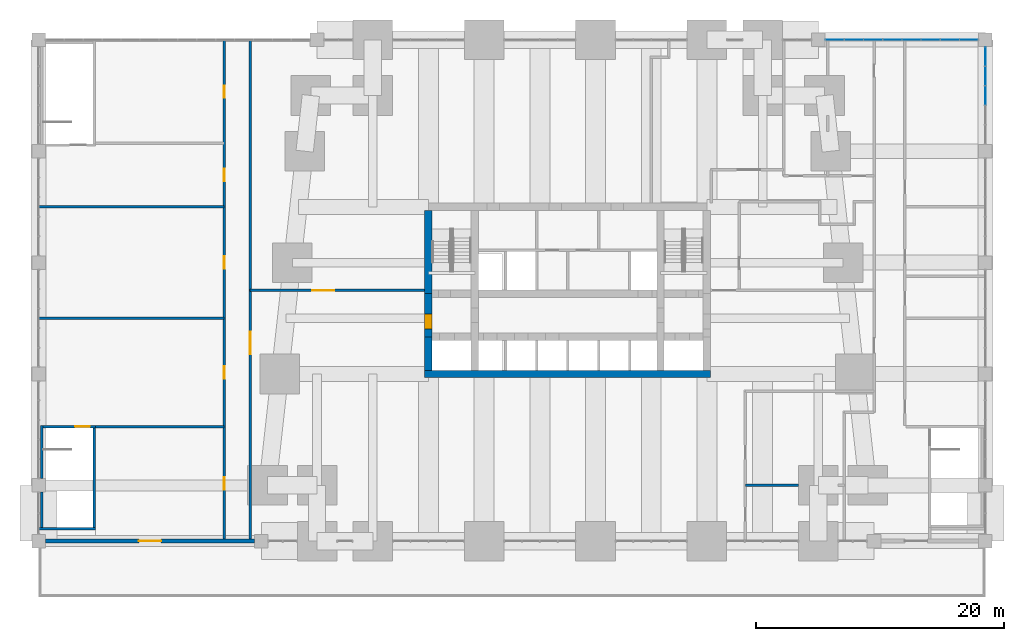
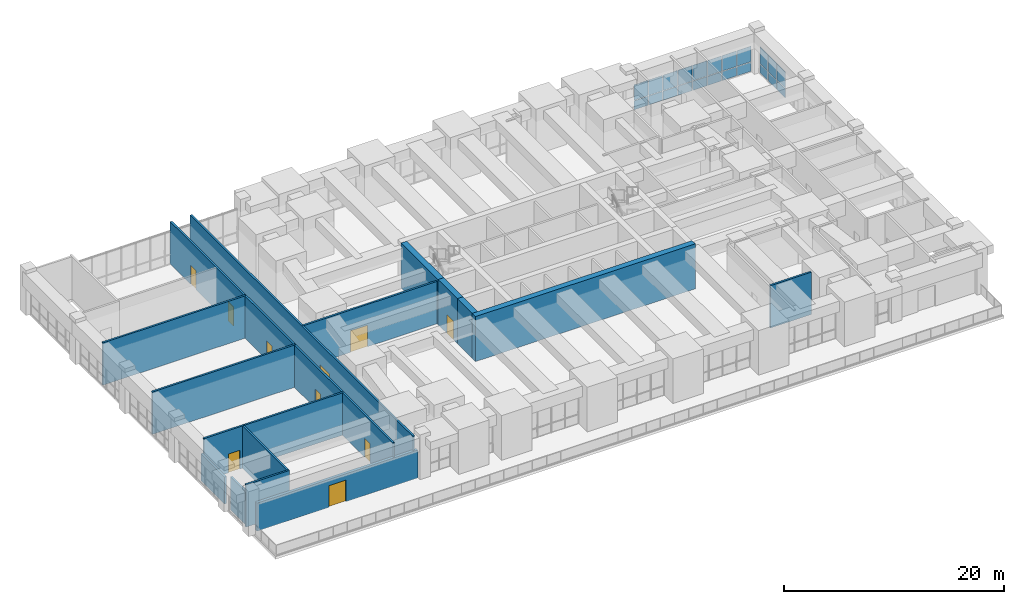
# One storey, part 17 of 22: 22 plates, 17 walls, 10 doors, 10 openings, 2 elements without a shape of their own.
"""IFC4 building model written with IfcOpenShell, lengths in metres."""

from ifc_helpers import new_model, si_unit, direction, frame, frame_2d, origin, origin_2d, place, context, subcontext, project, spatial, rectangle, extrude, material, layer, layer_set, type_object, element, fill, aggregate, save


model = new_model("IFC4")

# Units and contexts
model_context = context("Model", 3, precision=1e-05, world=origin(), true_north=direction((0.0, 1.0)))
body_context = subcontext(model_context, "Body", "Model", "MODEL_VIEW")
ifc_project = project(units=[si_unit("LENGTHUNIT", "METRE"), si_unit("AREAUNIT", "SQUARE_METRE"), si_unit("VOLUMEUNIT", "CUBIC_METRE"), si_unit("PLANEANGLEUNIT", "RADIAN"), si_unit("MASSUNIT", "GRAM", prefix="KILO")], contexts=[model_context])

# Site, building, storey
site_placement = place(None, origin())
site = spatial("IfcSite", under=ifc_project, at=site_placement, CompositionType="ELEMENT")
building_placement = place(site_placement, origin())
building = spatial("IfcBuilding", under=site, at=building_placement, Name="Kilele Tower Hotel", CompositionType="ELEMENT")
storey_placement = place(building_placement, frame((0.0, 0.0, 19.0)))
storey = spatial("IfcBuildingStorey", under=building, at=storey_placement, Name="L03", CompositionType="ELEMENT", Elevation=19.0)

# Curtain wall, plates
ifc_material_1 = material(Name="Aluminium curtain wall, clear double glazing", Category="aluminium")
curtain_wall_type_1 = type_object("IfcCurtainWallType", Name="Podium curtain wall CW-1", PredefinedType="NOTDEFINED", material=ifc_material_1)
curtain_wall_1_placement = place(storey_placement, origin())
curtain_wall_1 = element("IfcCurtainWall", 1, at=curtain_wall_1_placement, inside=storey, type_object=curtain_wall_type_1, Name="Podium curtain wall CW-1 L03", PredefinedType="NOTDEFINED")
ifc_material_2 = material(Name="Clear double glazing", Category="glass")
ifc_layer_1 = layer(ifc_material_2, 0.028076171875)
ifc_layer_set_1 = layer_set([ifc_layer_1], Name="Clear double glazing")
plate_type_1 = type_object("IfcPlateType", Name="Glazed panel 28 CW-1", PredefinedType="CURTAIN_PANEL", material=ifc_layer_set_1)
plate_1_placement = place(storey_placement, frame((57.159912109375, 40.5, 0.06005859375), z_axis=(0.0, 0.0, 1.0), x_axis=(-1.0, 0.0, 0.0)))
plate_1 = element("IfcPlate", 2, at=plate_1_placement, type_object=plate_type_1, Name="CW-1 panel 1.1", PredefinedType="CURTAIN_PANEL", context=body_context, shape_type="SweptSolid", body=[
    extrude(rectangle(XDim=1.4599609375, YDim=0.028076171875, at=origin_2d()), origin(), (0.0, 0.0, 1.0), 1.010009765625),
])
plate_2_placement = place(storey_placement, frame((57.159912109375, 40.5, 1.130126953125), z_axis=(0.0, 0.0, 1.0), x_axis=(-1.0, 0.0, 0.0)))
plate_2 = element("IfcPlate", 3, at=plate_2_placement, type_object=plate_type_1, Name="CW-1 panel 1.2", PredefinedType="CURTAIN_PANEL", context=body_context, shape_type="SweptSolid", body=[
    extrude(rectangle(XDim=1.4599609375, YDim=0.028076171875, at=origin_2d()), origin(), (0.0, 0.0, 1.0), 1.7099609375),
])
plate_3_placement = place(storey_placement, frame((55.625, 40.5, 0.06005859375), z_axis=(0.0, 0.0, 1.0), x_axis=(-1.0, 0.0, 0.0)))
plate_3 = element("IfcPlate", 4, at=plate_3_placement, type_object=plate_type_1, Name="CW-1 panel 2.1", PredefinedType="CURTAIN_PANEL", context=body_context, shape_type="SweptSolid", body=[
    extrude(rectangle(XDim=1.489990234375, YDim=0.028076171875, at=origin_2d()), origin(), (0.0, 0.0, 1.0), 1.010009765625),
])
plate_4_placement = place(storey_placement, frame((55.625, 40.5, 1.130126953125), z_axis=(0.0, 0.0, 1.0), x_axis=(-1.0, 0.0, 0.0)))
plate_4 = element("IfcPlate", 5, at=plate_4_placement, type_object=plate_type_1, Name="CW-1 panel 2.2", PredefinedType="CURTAIN_PANEL", context=body_context, shape_type="SweptSolid", body=[
    extrude(rectangle(XDim=1.489990234375, YDim=0.028076171875, at=origin_2d()), origin(), (0.0, 0.0, 1.0), 1.7099609375),
])
plate_5_placement = place(storey_placement, frame((54.074951171875, 40.5, 0.06005859375), z_axis=(0.0, 0.0, 1.0), x_axis=(-1.0, 0.0, 0.0)))
plate_5 = element("IfcPlate", 6, at=plate_5_placement, type_object=plate_type_1, Name="CW-1 panel 3.1", PredefinedType="CURTAIN_PANEL", context=body_context, shape_type="SweptSolid", body=[
    extrude(rectangle(XDim=1.489990234375, YDim=0.028076171875, at=origin_2d()), origin(), (0.0, 0.0, 1.0), 1.010009765625),
])
plate_6_placement = place(storey_placement, frame((54.074951171875, 40.5, 1.130126953125), z_axis=(0.0, 0.0, 1.0), x_axis=(-1.0, 0.0, 0.0)))
plate_6 = element("IfcPlate", 7, at=plate_6_placement, type_object=plate_type_1, Name="CW-1 panel 3.2", PredefinedType="CURTAIN_PANEL", context=body_context, shape_type="SweptSolid", body=[
    extrude(rectangle(XDim=1.489990234375, YDim=0.028076171875, at=origin_2d()), origin(), (0.0, 0.0, 1.0), 1.7099609375),
])
plate_7_placement = place(storey_placement, frame((52.52490234375, 40.5, 0.06005859375), z_axis=(0.0, 0.0, 1.0), x_axis=(-1.0, 0.0, 0.0)))
plate_7 = element("IfcPlate", 8, at=plate_7_placement, type_object=plate_type_1, Name="CW-1 panel 4.1", PredefinedType="CURTAIN_PANEL", context=body_context, shape_type="SweptSolid", body=[
    extrude(rectangle(XDim=1.489990234375, YDim=0.028076171875, at=origin_2d()), origin(), (0.0, 0.0, 1.0), 1.010009765625),
])
plate_8_placement = place(storey_placement, frame((52.52490234375, 40.5, 1.130126953125), z_axis=(0.0, 0.0, 1.0), x_axis=(-1.0, 0.0, 0.0)))
plate_8 = element("IfcPlate", 9, at=plate_8_placement, type_object=plate_type_1, Name="CW-1 panel 4.2", PredefinedType="CURTAIN_PANEL", context=body_context, shape_type="SweptSolid", body=[
    extrude(rectangle(XDim=1.489990234375, YDim=0.028076171875, at=origin_2d()), origin(), (0.0, 0.0, 1.0), 1.7099609375),
])
plate_9_placement = place(storey_placement, frame((50.97509765625, 40.5, 0.06005859375), z_axis=(0.0, 0.0, 1.0), x_axis=(-1.0, 0.0, 0.0)))
plate_9 = element("IfcPlate", 10, at=plate_9_placement, type_object=plate_type_1, Name="CW-1 panel 5.1", PredefinedType="CURTAIN_PANEL", context=body_context, shape_type="SweptSolid", body=[
    extrude(rectangle(XDim=1.489990234375, YDim=0.028076171875, at=origin_2d()), origin(), (0.0, 0.0, 1.0), 1.010009765625),
])
plate_10_placement = place(storey_placement, frame((50.97509765625, 40.5, 1.130126953125), z_axis=(0.0, 0.0, 1.0), x_axis=(-1.0, 0.0, 0.0)))
plate_10 = element("IfcPlate", 11, at=plate_10_placement, type_object=plate_type_1, Name="CW-1 panel 5.2", PredefinedType="CURTAIN_PANEL", context=body_context, shape_type="SweptSolid", body=[
    extrude(rectangle(XDim=1.489990234375, YDim=0.028076171875, at=origin_2d()), origin(), (0.0, 0.0, 1.0), 1.7099609375),
])
plate_11_placement = place(storey_placement, frame((49.425048828125, 40.5, 0.06005859375), z_axis=(0.0, 0.0, 1.0), x_axis=(-1.0, 0.0, 0.0)))
plate_11 = element("IfcPlate", 12, at=plate_11_placement, type_object=plate_type_1, Name="CW-1 panel 6.1", PredefinedType="CURTAIN_PANEL", context=body_context, shape_type="SweptSolid", body=[
    extrude(rectangle(XDim=1.489990234375, YDim=0.028076171875, at=origin_2d()), origin(), (0.0, 0.0, 1.0), 1.010009765625),
])
plate_12_placement = place(storey_placement, frame((49.425048828125, 40.5, 1.130126953125), z_axis=(0.0, 0.0, 1.0), x_axis=(-1.0, 0.0, 0.0)))
plate_12 = element("IfcPlate", 13, at=plate_12_placement, type_object=plate_type_1, Name="CW-1 panel 6.2", PredefinedType="CURTAIN_PANEL", context=body_context, shape_type="SweptSolid", body=[
    extrude(rectangle(XDim=1.489990234375, YDim=0.028076171875, at=origin_2d()), origin(), (0.0, 0.0, 1.0), 1.7099609375),
])
plate_13_placement = place(storey_placement, frame((47.875, 40.5, 0.06005859375), z_axis=(0.0, 0.0, 1.0), x_axis=(-1.0, 0.0, 0.0)))
plate_13 = element("IfcPlate", 14, at=plate_13_placement, type_object=plate_type_1, Name="CW-1 panel 7.1", PredefinedType="CURTAIN_PANEL", context=body_context, shape_type="SweptSolid", body=[
    extrude(rectangle(XDim=1.489990234375, YDim=0.028076171875, at=origin_2d()), origin(), (0.0, 0.0, 1.0), 1.010009765625),
])
plate_14_placement = place(storey_placement, frame((47.875, 40.5, 1.130126953125), z_axis=(0.0, 0.0, 1.0), x_axis=(-1.0, 0.0, 0.0)))
plate_14 = element("IfcPlate", 15, at=plate_14_placement, type_object=plate_type_1, Name="CW-1 panel 7.2", PredefinedType="CURTAIN_PANEL", context=body_context, shape_type="SweptSolid", body=[
    extrude(rectangle(XDim=1.489990234375, YDim=0.028076171875, at=origin_2d()), origin(), (0.0, 0.0, 1.0), 1.7099609375),
])
plate_15_placement = place(storey_placement, frame((46.340087890625, 40.5, 0.06005859375), z_axis=(0.0, 0.0, 1.0), x_axis=(-1.0, 0.0, 0.0)))
plate_15 = element("IfcPlate", 16, at=plate_15_placement, type_object=plate_type_1, Name="CW-1 panel 8.1", PredefinedType="CURTAIN_PANEL", context=body_context, shape_type="SweptSolid", body=[
    extrude(rectangle(XDim=1.4599609375, YDim=0.028076171875, at=origin_2d()), origin(), (0.0, 0.0, 1.0), 1.010009765625),
])
plate_16_placement = place(storey_placement, frame((46.340087890625, 40.5, 1.130126953125), z_axis=(0.0, 0.0, 1.0), x_axis=(-1.0, 0.0, 0.0)))
plate_16 = element("IfcPlate", 17, at=plate_16_placement, type_object=plate_type_1, Name="CW-1 panel 8.2", PredefinedType="CURTAIN_PANEL", context=body_context, shape_type="SweptSolid", body=[
    extrude(rectangle(XDim=1.4599609375, YDim=0.028076171875, at=origin_2d()), origin(), (0.0, 0.0, 1.0), 1.7099609375),
])
aggregate(curtain_wall_1, [plate_1, plate_2, plate_3, plate_4, plate_5, plate_6, plate_7, plate_8, plate_9, plate_10, plate_11, plate_12, plate_13, plate_14, plate_15, plate_16])

ifc_material_3 = material(Name="Aluminium curtain wall, clear double glazing", Category="aluminium")
curtain_wall_type_2 = type_object("IfcCurtainWallType", Name="Podium side curtain wall CW-2", PredefinedType="NOTDEFINED", material=ifc_material_3)
curtain_wall_2_placement = place(storey_placement, origin())
curtain_wall_2 = element("IfcCurtainWall", 18, at=curtain_wall_2_placement, inside=storey, type_object=curtain_wall_type_2, Name="Podium side curtain wall CW-2 L03", PredefinedType="NOTDEFINED")
ifc_material_4 = material(Name="Clear double glazing", Category="glass")
ifc_layer_2 = layer(ifc_material_4, 0.028076171875)
ifc_layer_set_2 = layer_set([ifc_layer_2], Name="Clear double glazing")
plate_type_2 = type_object("IfcPlateType", Name="Glazed panel 28 CW-2", PredefinedType="CURTAIN_PANEL", material=ifc_layer_set_2)
plate_17_placement = place(storey_placement, frame((58.5, 36.0, 0.06005859375), z_axis=(0.0, 0.0, 1.0), x_axis=(0.0, 1.0, 0.0)))
plate_17 = element("IfcPlate", 19, at=plate_17_placement, type_object=plate_type_2, Name="CW-2 panel 3.1", PredefinedType="CURTAIN_PANEL", context=body_context, shape_type="SweptSolid", body=[
    extrude(rectangle(XDim=1.52001953125, YDim=0.028076171875, at=origin_2d()), origin(), (0.0, 0.0, 1.0), 1.010009765625),
])
plate_18_placement = place(storey_placement, frame((58.5, 36.0, 1.1298828125), z_axis=(0.0, 0.0, 1.0), x_axis=(0.0, 1.0, 0.0)))
plate_18 = element("IfcPlate", 20, at=plate_18_placement, type_object=plate_type_2, Name="CW-2 panel 3.2", PredefinedType="CURTAIN_PANEL", context=body_context, shape_type="SweptSolid", body=[
    extrude(rectangle(XDim=1.52001953125, YDim=0.028076171875, at=origin_2d()), origin(), (0.0, 0.0, 1.0), 1.81005859375),
])
plate_19_placement = place(storey_placement, frame((58.5, 37.580078125, 0.06005859375), z_axis=(0.0, 0.0, 1.0), x_axis=(0.0, 1.0, 0.0)))
plate_19 = element("IfcPlate", 21, at=plate_19_placement, type_object=plate_type_2, Name="CW-2 panel 4.1", PredefinedType="CURTAIN_PANEL", context=body_context, shape_type="SweptSolid", body=[
    extrude(rectangle(XDim=1.52001953125, YDim=0.028076171875, at=origin_2d()), origin(), (0.0, 0.0, 1.0), 1.010009765625),
])
plate_20_placement = place(storey_placement, frame((58.5, 37.580078125, 1.1298828125), z_axis=(0.0, 0.0, 1.0), x_axis=(0.0, 1.0, 0.0)))
plate_20 = element("IfcPlate", 22, at=plate_20_placement, type_object=plate_type_2, Name="CW-2 panel 4.2", PredefinedType="CURTAIN_PANEL", context=body_context, shape_type="SweptSolid", body=[
    extrude(rectangle(XDim=1.52001953125, YDim=0.028076171875, at=origin_2d()), origin(), (0.0, 0.0, 1.0), 1.81005859375),
])
plate_21_placement = place(storey_placement, frame((58.5, 39.14501953125, 0.06005859375), z_axis=(0.0, 0.0, 1.0), x_axis=(0.0, 1.0, 0.0)))
plate_21 = element("IfcPlate", 23, at=plate_21_placement, type_object=plate_type_2, Name="CW-2 panel 5.1", PredefinedType="CURTAIN_PANEL", context=body_context, shape_type="SweptSolid", body=[
    extrude(rectangle(XDim=1.489990234375, YDim=0.028076171875, at=origin_2d()), origin(), (0.0, 0.0, 1.0), 1.010009765625),
])
plate_22_placement = place(storey_placement, frame((58.5, 39.14501953125, 1.1298828125), z_axis=(0.0, 0.0, 1.0), x_axis=(0.0, 1.0, 0.0)))
plate_22 = element("IfcPlate", 24, at=plate_22_placement, type_object=plate_type_2, Name="CW-2 panel 5.2", PredefinedType="CURTAIN_PANEL", context=body_context, shape_type="SweptSolid", body=[
    extrude(rectangle(XDim=1.489990234375, YDim=0.028076171875, at=origin_2d()), origin(), (0.0, 0.0, 1.0), 1.81005859375),
])
aggregate(curtain_wall_2, [plate_17, plate_18, plate_19, plate_20, plate_21, plate_22])

# Walls
ifc_material_5 = material(Name="Concrete C60/75", Category="concrete")
ifc_layer_3 = layer(ifc_material_5, 0.60009765625)
ifc_layer_set_3 = layer_set([ifc_layer_3], Name="Concrete C60/75")
wall_type_1 = type_object("IfcWallType", Name="Core wall 600 C60/75", PredefinedType="SHEAR", material=ifc_layer_set_3)
wall_1_placement = place(storey_placement, frame((13.199951171875, 13.5, 0.0), z_axis=(0.0, 0.0, 1.0), x_axis=(1.0, 0.0, 0.0)))
element("IfcWall", 25, at=wall_1_placement, inside=storey, type_object=wall_type_1, Name="Core wall S L03", PredefinedType="SHEAR", context=body_context, shape_type="SweptSolid", body=[
    extrude(rectangle(XDim=23.10009765625, YDim=0.60009765625, at=frame_2d((11.550048828125, 0.0))), origin(), (0.0, 0.0, 1.0), 5.0),
])
wall_2_placement = place(storey_placement, frame((13.5, 26.699951171875, 0.0), z_axis=(0.0, 0.0, 1.0), x_axis=(0.0, -1.0, 0.0)))
element("IfcWall", 26, at=wall_2_placement, inside=storey, type_object=wall_type_1, Name="Core wall W1 L03", PredefinedType="SHEAR", context=body_context, shape_type="SweptSolid", body=[
    extrude(rectangle(XDim=6.699951171875, YDim=0.60009765625, at=frame_2d((3.35009765625, 0.0))), origin(), (0.0, 0.0, 1.0), 5.0),
])

# Wall, opening, door
wall_3_placement = place(storey_placement, frame((13.5, 20.0, 0.0), z_axis=(0.0, 0.0, 1.0), x_axis=(0.0, -1.0, 0.0)))
wall_3 = element("IfcWall", 27, at=wall_3_placement, inside=storey, type_object=wall_type_1, Name="Core wall W2 L03", PredefinedType="SHEAR", context=body_context, shape_type="SweptSolid", body=[
    extrude(rectangle(XDim=3.5, YDim=0.60009765625, at=frame_2d((1.75, 0.0))), origin(), (0.0, 0.0, 1.0), 5.0),
])
opening_1_placement = place(wall_3_placement, frame((1.64990234375, 0.0, 0.0)))
opening_1 = element("IfcOpeningElement", 28, at=opening_1_placement, cuts=wall_3, Name="Opening D4", PredefinedType="OPENING", context=body_context, shape_type="SweptSolid", body=[
    extrude(rectangle(XDim=1.199951171875, YDim=2.10009765625, at=frame_2d((0.60009765625, 1.050048828125))), frame((0.0, 0.31005859375, 0.0), z_axis=(0.0, -1.0, 0.0), x_axis=(1.0, 0.0, 0.0)), (0.0, 0.0, 1.0), 0.6201171875),
])
ifc_material_6 = material(Name="Timber door leaf in hardwood frame", Category="wood")
door_type_1 = type_object("IfcDoorType", Name="Firefighting lobby door 1200", OperationType="SINGLE_SWING_LEFT", PredefinedType="DOOR", material=ifc_material_6)
door_1_placement = place(opening_1_placement, origin())
door_1 = element("IfcDoor", 29, at=door_1_placement, inside=storey, type_object=door_type_1, Name="Lobby door L03", OperationType="SINGLE_SWING_RIGHT", OverallHeight=2.10009765625, OverallWidth=1.199951171875, PredefinedType="DOOR", context=body_context, shape_type="SweptSolid", body=[
    extrude(rectangle(XDim=1.199951171875, YDim=2.10009765625, at=frame_2d((0.60009765625, 1.050048828125))), frame((0.0, 0.2998046875, 0.0), z_axis=(0.0, -1.0, 0.0), x_axis=(1.0, 0.0, 0.0)), (0.0, 0.0, 1.0), 0.599609375),
])
fill(opening_1, door_1)

# Wall
wall_4_placement = place(storey_placement, frame((13.5, 16.5, 0.0), z_axis=(0.0, 0.0, 1.0), x_axis=(0.0, -1.0, 0.0)))
element("IfcWall", 30, at=wall_4_placement, inside=storey, type_object=wall_type_1, Name="Core wall W3 L03", PredefinedType="SHEAR", context=body_context, shape_type="SweptSolid", body=[
    extrude(rectangle(XDim=2.699951171875, YDim=0.60009765625, at=frame_2d((1.35009765625, 0.0))), origin(), (0.0, 0.0, 1.0), 5.0),
])

# Wall, opening, door
ifc_material_7 = material(Name="Blockwork, plastered both sides", Category="masonry")
ifc_layer_4 = layer(ifc_material_7, 0.199951171875)
ifc_layer_set_4 = layer_set([ifc_layer_4], Name="Blockwork, plastered both sides")
wall_type_2 = type_object("IfcWallType", Name="Partition wall 200", PredefinedType="PARTITIONING", material=ifc_layer_set_4)
wall_5_placement = place(storey_placement, frame((-0.89990234375, 0.0, 0.0), z_axis=(0.0, 0.0, 1.0), x_axis=(0.0, 1.0, 0.0)))
wall_5 = element("IfcWall", 31, at=wall_5_placement, inside=storey, type_object=wall_type_2, Name="Partition wall 200 L03", PredefinedType="PARTITIONING", context=body_context, shape_type="SweptSolid", body=[
    extrude(rectangle(XDim=40.5, YDim=0.199951171875, at=frame_2d((20.25, 0.0))), origin(), (0.0, 0.0, 1.0), 4.699951171875),
])
opening_2_placement = place(wall_5_placement, frame((15.10009765625, 0.0, 0.0)))
opening_2 = element("IfcOpeningElement", 32, at=opening_2_placement, cuts=wall_5, Name="Opening D9", PredefinedType="OPENING", context=body_context, shape_type="SweptSolid", body=[
    extrude(rectangle(XDim=1.800048828125, YDim=2.39990234375, at=frame_2d((0.89990234375, 1.199951171875))), frame((0.0, 0.10986328125, 0.0), z_axis=(0.0, -1.0, 0.0), x_axis=(1.0, 0.0, 0.0)), (0.0, 0.0, 1.0), 0.219970703125),
])
ifc_material_8 = material(Name="Timber door leaf in hardwood frame", Category="wood")
door_type_2 = type_object("IfcDoorType", Name="Double door 1800", OperationType="DOUBLE_DOOR_SINGLE_SWING", PredefinedType="DOOR", material=ifc_material_8)
door_2_placement = place(opening_2_placement, origin())
door_2 = element("IfcDoor", 33, at=door_2_placement, inside=storey, type_object=door_type_2, Name="Door meeting foyer", OperationType="DOUBLE_DOOR_SINGLE_SWING", OverallHeight=2.39990234375, OverallWidth=1.800048828125, PredefinedType="DOOR", context=body_context, shape_type="SweptSolid", body=[
    extrude(rectangle(XDim=1.800048828125, YDim=2.39990234375, at=frame_2d((0.89990234375, 1.199951171875))), frame((0.0, 0.02490234375, 0.0), z_axis=(0.0, -1.0, 0.0), x_axis=(1.0, 0.0, 0.0)), (0.0, 0.0, 1.0), 0.050048828125),
])
fill(opening_2, door_2)

# Wall, openings, doors
wall_6_placement = place(storey_placement, frame((-3.0, 0.0, 0.0), z_axis=(0.0, 0.0, 1.0), x_axis=(0.0, 1.0, 0.0)))
wall_6 = element("IfcWall", 34, at=wall_6_placement, inside=storey, type_object=wall_type_2, Name="Partition wall 200 L03", PredefinedType="PARTITIONING", context=body_context, shape_type="SweptSolid", body=[
    extrude(rectangle(XDim=40.5, YDim=0.199951171875, at=frame_2d((20.25, 0.0))), origin(), (0.0, 0.0, 1.0), 4.699951171875),
])
opening_3_placement = place(wall_6_placement, frame((5.14990234375, 0.0, 0.0), z_axis=(0.0, 0.0, 1.0), x_axis=(-1.0, 0.0, 0.0)))
opening_3 = element("IfcOpeningElement", 35, at=opening_3_placement, cuts=wall_6, Name="Opening D8", PredefinedType="OPENING", context=body_context, shape_type="SweptSolid", body=[
    extrude(rectangle(XDim=1.0, YDim=2.10009765625, at=frame_2d((0.5, 1.050048828125))), frame((0.0, 0.10986328125, 0.0), z_axis=(0.0, -1.0, 0.0), x_axis=(1.0, 0.0, 0.0)), (0.0, 0.0, 1.0), 0.219970703125),
])
opening_4_placement = place(wall_6_placement, frame((14.125, 0.0, 0.0), z_axis=(0.0, 0.0, 1.0), x_axis=(-1.0, 0.0, 0.0)))
opening_4 = element("IfcOpeningElement", 36, at=opening_4_placement, cuts=wall_6, Name="Opening D8", PredefinedType="OPENING", context=body_context, shape_type="SweptSolid", body=[
    extrude(rectangle(XDim=1.0, YDim=2.10009765625, at=frame_2d((0.5, 1.050048828125))), frame((0.0, 0.10986328125, 0.0), z_axis=(0.0, -1.0, 0.0), x_axis=(1.0, 0.0, 0.0)), (0.0, 0.0, 1.0), 0.219970703125),
])
opening_5_placement = place(wall_6_placement, frame((30.074951171875, 0.0, 0.0), z_axis=(0.0, 0.0, 1.0), x_axis=(-1.0, 0.0, 0.0)))
opening_5 = element("IfcOpeningElement", 37, at=opening_5_placement, cuts=wall_6, Name="Opening D8", PredefinedType="OPENING", context=body_context, shape_type="SweptSolid", body=[
    extrude(rectangle(XDim=1.0, YDim=2.10009765625, at=frame_2d((0.5, 1.050048828125))), frame((0.0, 0.10986328125, 0.0), z_axis=(0.0, -1.0, 0.0), x_axis=(1.0, 0.0, 0.0)), (0.0, 0.0, 1.0), 0.219970703125),
])
opening_6_placement = place(wall_6_placement, frame((36.800048828125, 0.0, 0.0), z_axis=(0.0, 0.0, 1.0), x_axis=(-1.0, 0.0, 0.0)))
opening_6 = element("IfcOpeningElement", 38, at=opening_6_placement, cuts=wall_6, Name="Opening D8", PredefinedType="OPENING", context=body_context, shape_type="SweptSolid", body=[
    extrude(rectangle(XDim=1.0, YDim=2.10009765625, at=frame_2d((0.5, 1.050048828125))), frame((0.0, 0.10986328125, 0.0), z_axis=(0.0, -1.0, 0.0), x_axis=(1.0, 0.0, 0.0)), (0.0, 0.0, 1.0), 0.219970703125),
])
opening_7_placement = place(wall_6_placement, frame((23.0, 0.0, 0.0), z_axis=(0.0, 0.0, 1.0), x_axis=(-1.0, 0.0, 0.0)))
opening_7 = element("IfcOpeningElement", 39, at=opening_7_placement, cuts=wall_6, Name="Opening D8", PredefinedType="OPENING", context=body_context, shape_type="SweptSolid", body=[
    extrude(rectangle(XDim=1.0, YDim=2.10009765625, at=frame_2d((0.5, 1.050048828125))), frame((0.0, 0.10986328125, 0.0), z_axis=(0.0, -1.0, 0.0), x_axis=(1.0, 0.0, 0.0)), (0.0, 0.0, 1.0), 0.219970703125),
])
ifc_material_9 = material(Name="Timber door leaf in hardwood frame", Category="wood")
door_type_3 = type_object("IfcDoorType", Name="Door 1000", OperationType="SINGLE_SWING_LEFT", PredefinedType="DOOR", material=ifc_material_9)
door_3_placement = place(opening_3_placement, origin())
door_3 = element("IfcDoor", 40, at=door_3_placement, inside=storey, type_object=door_type_3, Name="Door Meeting room 1", OperationType="SINGLE_SWING_RIGHT", OverallHeight=2.10009765625, OverallWidth=1.0, PredefinedType="DOOR", context=body_context, shape_type="SweptSolid", body=[
    extrude(rectangle(XDim=1.0, YDim=2.10009765625, at=frame_2d((0.5, 1.050048828125))), frame((0.0, 0.02490234375, 0.0), z_axis=(0.0, -1.0, 0.0), x_axis=(1.0, 0.0, 0.0)), (0.0, 0.0, 1.0), 0.050048828125),
])
fill(opening_3, door_3)
door_4_placement = place(opening_4_placement, origin())
door_4 = element("IfcDoor", 41, at=door_4_placement, inside=storey, type_object=door_type_3, Name="Door Meeting room 2", OperationType="SINGLE_SWING_RIGHT", OverallHeight=2.10009765625, OverallWidth=1.0, PredefinedType="DOOR", context=body_context, shape_type="SweptSolid", body=[
    extrude(rectangle(XDim=1.0, YDim=2.10009765625, at=frame_2d((0.5, 1.050048828125))), frame((0.0, 0.02490234375, 0.0), z_axis=(0.0, -1.0, 0.0), x_axis=(1.0, 0.0, 0.0)), (0.0, 0.0, 1.0), 0.050048828125),
])
fill(opening_4, door_4)
door_5_placement = place(opening_5_placement, origin())
door_5 = element("IfcDoor", 42, at=door_5_placement, inside=storey, type_object=door_type_3, Name="Door Meeting room 3", OperationType="SINGLE_SWING_LEFT", OverallHeight=2.10009765625, OverallWidth=1.0, PredefinedType="DOOR", context=body_context, shape_type="SweptSolid", body=[
    extrude(rectangle(XDim=1.0, YDim=2.10009765625, at=frame_2d((0.5, 1.050048828125))), frame((0.0, 0.02490234375, 0.0), z_axis=(0.0, -1.0, 0.0), x_axis=(1.0, 0.0, 0.0)), (0.0, 0.0, 1.0), 0.050048828125),
])
fill(opening_5, door_5)
door_6_placement = place(opening_6_placement, origin())
door_6 = element("IfcDoor", 43, at=door_6_placement, inside=storey, type_object=door_type_3, Name="Door Meeting room 4", OperationType="SINGLE_SWING_LEFT", OverallHeight=2.10009765625, OverallWidth=1.0, PredefinedType="DOOR", context=body_context, shape_type="SweptSolid", body=[
    extrude(rectangle(XDim=1.0, YDim=2.10009765625, at=frame_2d((0.5, 1.050048828125))), frame((0.0, 0.02490234375, 0.0), z_axis=(0.0, -1.0, 0.0), x_axis=(1.0, 0.0, 0.0)), (0.0, 0.0, 1.0), 0.050048828125),
])
fill(opening_6, door_6)
door_7_placement = place(opening_7_placement, origin())
door_7 = element("IfcDoor", 44, at=door_7_placement, inside=storey, type_object=door_type_3, Name="Door boardroom", OperationType="SINGLE_SWING_LEFT", OverallHeight=2.10009765625, OverallWidth=1.0, PredefinedType="DOOR", context=body_context, shape_type="SweptSolid", body=[
    extrude(rectangle(XDim=1.0, YDim=2.10009765625, at=frame_2d((0.5, 1.050048828125))), frame((0.0, 0.02490234375, 0.0), z_axis=(0.0, -1.0, 0.0), x_axis=(1.0, 0.0, 0.0)), (0.0, 0.0, 1.0), 0.050048828125),
])
fill(opening_7, door_7)

# Walls
wall_7_placement = place(storey_placement, frame((-18.0, 18.0, 0.0), z_axis=(0.0, 0.0, 1.0), x_axis=(1.0, 0.0, 0.0)))
element("IfcWall", 45, at=wall_7_placement, inside=storey, type_object=wall_type_2, Name="Partition wall 200 L03", PredefinedType="PARTITIONING", context=body_context, shape_type="SweptSolid", body=[
    extrude(rectangle(XDim=15.0, YDim=0.199951171875, at=frame_2d((7.5, 0.0))), origin(), (0.0, 0.0, 1.0), 4.699951171875),
])
wall_8_placement = place(storey_placement, frame((-13.5, 9.25, 0.0), z_axis=(0.0, 0.0, 1.0), x_axis=(1.0, 0.0, 0.0)))
element("IfcWall", 46, at=wall_8_placement, inside=storey, type_object=wall_type_2, Name="Partition wall 200 L03", PredefinedType="PARTITIONING", context=body_context, shape_type="SweptSolid", body=[
    extrude(rectangle(XDim=10.5, YDim=0.199951171875, at=frame_2d((5.25, 0.0))), origin(), (0.0, 0.0, 1.0), 4.699951171875),
])
wall_9_placement = place(storey_placement, frame((-18.0, 27.0, 0.0), z_axis=(0.0, 0.0, 1.0), x_axis=(1.0, 0.0, 0.0)))
element("IfcWall", 47, at=wall_9_placement, inside=storey, type_object=wall_type_2, Name="Partition wall 200 L03", PredefinedType="PARTITIONING", context=body_context, shape_type="SweptSolid", body=[
    extrude(rectangle(XDim=15.0, YDim=0.199951171875, at=frame_2d((7.5, 0.0))), origin(), (0.0, 0.0, 1.0), 4.699951171875),
])
wall_10_placement = place(storey_placement, frame((39.10009765625, 4.5, 0.0), z_axis=(0.0, 0.0, 1.0), x_axis=(1.0, 0.0, 0.0)))
element("IfcWall", 48, at=wall_10_placement, inside=storey, type_object=wall_type_2, Name="Partition wall 200 L03", PredefinedType="PARTITIONING", context=body_context, shape_type="SweptSolid", body=[
    extrude(rectangle(XDim=4.2998046875, YDim=0.199951171875, at=frame_2d((2.14990234375, 0.0))), origin(), (0.0, 0.0, 1.0), 4.699951171875),
])

# Wall, opening, door
wall_11_placement = place(storey_placement, frame((-0.89990234375, 20.25, 0.0), z_axis=(0.0, 0.0, 1.0), x_axis=(1.0, 0.0, 0.0)))
wall_11 = element("IfcWall", 49, at=wall_11_placement, inside=storey, type_object=wall_type_2, Name="Partition wall 200 L03", PredefinedType="PARTITIONING", context=body_context, shape_type="SweptSolid", body=[
    extrude(rectangle(XDim=14.099853515625, YDim=0.199951171875, at=frame_2d((7.0498046875, 0.0))), origin(), (0.0, 0.0, 1.0), 4.699951171875),
])
opening_8_placement = place(wall_11_placement, frame((5.0, 0.0, 0.0)))
opening_8 = element("IfcOpeningElement", 50, at=opening_8_placement, cuts=wall_11, Name="Opening D9", PredefinedType="OPENING", context=body_context, shape_type="SweptSolid", body=[
    extrude(rectangle(XDim=1.800048828125, YDim=2.39990234375, at=frame_2d((0.89990234375, 1.199951171875))), frame((0.0, 0.10986328125, 0.0), z_axis=(0.0, -1.0, 0.0), x_axis=(1.0, 0.0, 0.0)), (0.0, 0.0, 1.0), 0.219970703125),
])
door_8_placement = place(opening_8_placement, origin())
door_8 = element("IfcDoor", 51, at=door_8_placement, inside=storey, type_object=door_type_2, Name="Door Hotel executive offices", OperationType="DOUBLE_DOOR_SINGLE_SWING", OverallHeight=2.39990234375, OverallWidth=1.800048828125, PredefinedType="DOOR", context=body_context, shape_type="SweptSolid", body=[
    extrude(rectangle(XDim=1.800048828125, YDim=2.39990234375, at=frame_2d((0.89990234375, 1.199951171875))), frame((0.0, 0.02490234375, 0.0), z_axis=(0.0, -1.0, 0.0), x_axis=(1.0, 0.0, 0.0)), (0.0, 0.0, 1.0), 0.050048828125),
])
fill(opening_8, door_8)

ifc_material_10 = material(Name="Concrete C40/50 precast", Category="concrete")
ifc_layer_5 = layer(ifc_material_10, 0.260009765625, Name="Precast backing", Category="LoadBearing")
ifc_material_11 = material(Name="Reconstituted stone finish", Category="masonry")
ifc_layer_6 = layer(ifc_material_11, 0.0400390625, Name="Face mix", Category="Finish")
ifc_layer_set_5 = layer_set([ifc_layer_5, ifc_layer_6], Name="Precast concrete C40/50, reconstituted stone finish")
wall_type_3 = type_object("IfcWallType", Name="Precast stone facade wall 300", PredefinedType="STANDARD", material=ifc_layer_set_5)
wall_12_placement = place(storey_placement, frame((-17.449951171875, 0.0, 0.0), z_axis=(0.0, 0.0, 1.0), x_axis=(1.0, 0.0, 0.0)))
wall_12 = element("IfcWall", 52, at=wall_12_placement, inside=storey, type_object=wall_type_3, Name="Podium terrace wall L03", PredefinedType="STANDARD", context=body_context, shape_type="SweptSolid", body=[
    extrude(rectangle(XDim=16.89990234375, YDim=0.300048828125, at=frame_2d((8.449951171875, 0.0))), origin(), (0.0, 0.0, 1.0), 3.10009765625),
])
opening_9_placement = place(wall_12_placement, frame((7.550048828125, 0.0, 0.0)))
opening_9 = element("IfcOpeningElement", 53, at=opening_9_placement, cuts=wall_12, Name="Opening TD2", PredefinedType="OPENING", context=body_context, shape_type="SweptSolid", body=[
    extrude(rectangle(XDim=1.800048828125, YDim=2.39990234375, at=frame_2d((0.89990234375, 1.199951171875))), frame((0.0, 0.159912109375, 0.0), z_axis=(0.0, -1.0, 0.0), x_axis=(1.0, 0.0, 0.0)), (0.0, 0.0, 1.0), 0.320068359375),
])
ifc_material_12 = material(Name="Aluminium frame, clear glazing", Category="aluminium")
door_type_4 = type_object("IfcDoorType", Name="Terrace door 1800", OperationType="DOUBLE_DOOR_SINGLE_SWING", PredefinedType="DOOR", material=ifc_material_12)
door_9_placement = place(opening_9_placement, origin())
door_9 = element("IfcDoor", 54, at=door_9_placement, inside=storey, type_object=door_type_4, Name="Terrace door", OperationType="DOUBLE_DOOR_SINGLE_SWING", OverallHeight=2.39990234375, OverallWidth=1.800048828125, PredefinedType="DOOR", context=body_context, shape_type="SweptSolid", body=[
    extrude(rectangle(XDim=1.800048828125, YDim=2.39990234375, at=frame_2d((0.89990234375, 1.199951171875))), frame((0.0, 0.02490234375, 0.0), z_axis=(0.0, -1.0, 0.0), x_axis=(1.0, 0.0, 0.0)), (0.0, 0.0, 1.0), 0.050048828125),
])
fill(opening_9, door_9)

ifc_material_13 = material(Name="Concrete C40/50", Category="concrete")
ifc_layer_7 = layer(ifc_material_13, 0.199951171875)
ifc_layer_set_6 = layer_set([ifc_layer_7], Name="Concrete C40/50")
wall_type_4 = type_object("IfcWallType", Name="Stair wall RC 200 C40/50", PredefinedType="SOLIDWALL", material=ifc_layer_set_6)
wall_13_placement = place(storey_placement, frame((-17.64990234375, 9.25, 0.0), z_axis=(0.0, 0.0, 1.0), x_axis=(1.0, 0.0, 0.0)))
wall_13 = element("IfcWall", 55, at=wall_13_placement, inside=storey, type_object=wall_type_4, Name="Stair wall RC 200 C40/50 L03", PredefinedType="SOLIDWALL", context=body_context, shape_type="SweptSolid", body=[
    extrude(rectangle(XDim=4.25, YDim=0.199951171875, at=frame_2d((2.125, 0.0))), origin(), (0.0, 0.0, 1.0), 4.699951171875),
])
opening_10_placement = place(wall_13_placement, frame((3.800048828125, 0.0, 0.0), z_axis=(0.0, 0.0, 1.0), x_axis=(-1.0, 0.0, 0.0)))
opening_10 = element("IfcOpeningElement", 56, at=opening_10_placement, cuts=wall_13, Name="Opening D5A", PredefinedType="OPENING", context=body_context, shape_type="SweptSolid", body=[
    extrude(rectangle(XDim=1.199951171875, YDim=2.10009765625, at=frame_2d((0.60009765625, 1.050048828125))), frame((0.0, 0.10986328125, 0.0), z_axis=(0.0, -1.0, 0.0), x_axis=(1.0, 0.0, 0.0)), (0.0, 0.0, 1.0), 0.219970703125),
])
ifc_material_14 = material(Name="Timber door leaf in hardwood frame", Category="wood")
door_type_5 = type_object("IfcDoorType", Name="Stair door 1200", OperationType="SINGLE_SWING_LEFT", PredefinedType="DOOR", material=ifc_material_14)
door_10_placement = place(opening_10_placement, origin())
door_10 = element("IfcDoor", 57, at=door_10_placement, inside=storey, type_object=door_type_5, Name="Stair 4 door", OperationType="SINGLE_SWING_LEFT", OverallHeight=2.10009765625, OverallWidth=1.199951171875, PredefinedType="DOOR", context=body_context, shape_type="SweptSolid", body=[
    extrude(rectangle(XDim=1.199951171875, YDim=2.10009765625, at=frame_2d((0.60009765625, 1.050048828125))), frame((0.0, 0.02490234375, 0.0), z_axis=(0.0, -1.0, 0.0), x_axis=(1.0, 0.0, 0.0)), (0.0, 0.0, 1.0), 0.050048828125),
])
fill(opening_10, door_10)

# Walls
wall_14_placement = place(storey_placement, frame((-18.0, 1.0, 0.0), z_axis=(0.0, 0.0, 1.0), x_axis=(1.0, 0.0, 0.0)))
element("IfcWall", 58, at=wall_14_placement, inside=storey, type_object=wall_type_4, Name="Stair wall RC 200 C40/50 L03", PredefinedType="SOLIDWALL", context=body_context, shape_type="SweptSolid", body=[
    extrude(rectangle(XDim=4.60009765625, YDim=0.199951171875, at=frame_2d((2.300048828125, 0.0))), origin(), (0.0, 0.0, 1.0), 4.699951171875),
])
wall_15_placement = place(storey_placement, frame((-13.5, 1.10009765625, 0.0), z_axis=(0.0, 0.0, 1.0), x_axis=(0.0, 1.0, 0.0)))
element("IfcWall", 59, at=wall_15_placement, inside=storey, type_object=wall_type_4, Name="Stair wall RC 200 C40/50 L03", PredefinedType="SOLIDWALL", context=body_context, shape_type="SweptSolid", body=[
    extrude(rectangle(XDim=8.0498046875, YDim=0.199951171875, at=frame_2d((4.02490234375, 0.0))), origin(), (0.0, 0.0, 1.0), 4.699951171875),
])
wall_16_placement = place(storey_placement, frame((-17.75, 1.10009765625, 0.0), z_axis=(0.0, 0.0, 1.0), x_axis=(0.0, 1.0, 0.0)))
element("IfcWall", 60, at=wall_16_placement, inside=storey, type_object=wall_type_4, Name="Stair wall RC 200 C40/50 L03", PredefinedType="SOLIDWALL", context=body_context, shape_type="SweptSolid", body=[
    extrude(rectangle(XDim=2.849853515625, YDim=0.199951171875, at=frame_2d((1.4248046875, 0.0))), origin(), (0.0, 0.0, 1.0), 3.699951171875),
])
wall_17_placement = place(storey_placement, frame((-17.75, 5.050048828125, 0.0), z_axis=(0.0, 0.0, 1.0), x_axis=(0.0, 1.0, 0.0)))
element("IfcWall", 61, at=wall_17_placement, inside=storey, type_object=wall_type_4, Name="Stair wall RC 200 C40/50 L03", PredefinedType="SOLIDWALL", context=body_context, shape_type="SweptSolid", body=[
    extrude(rectangle(XDim=4.300048828125, YDim=0.199951171875, at=frame_2d((2.14990234375, 0.0))), origin(), (0.0, 0.0, 1.0), 3.0),
])

save(model, "model.ifc")
